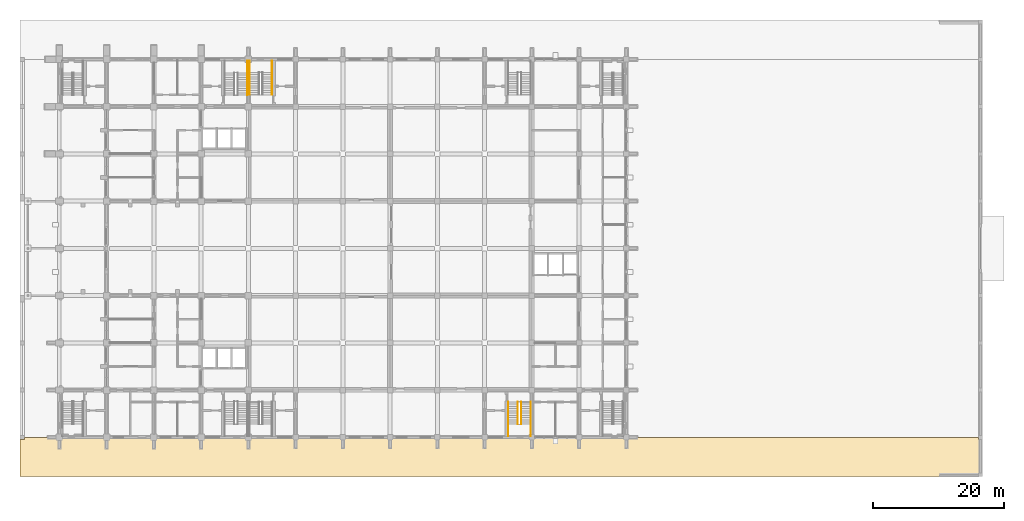
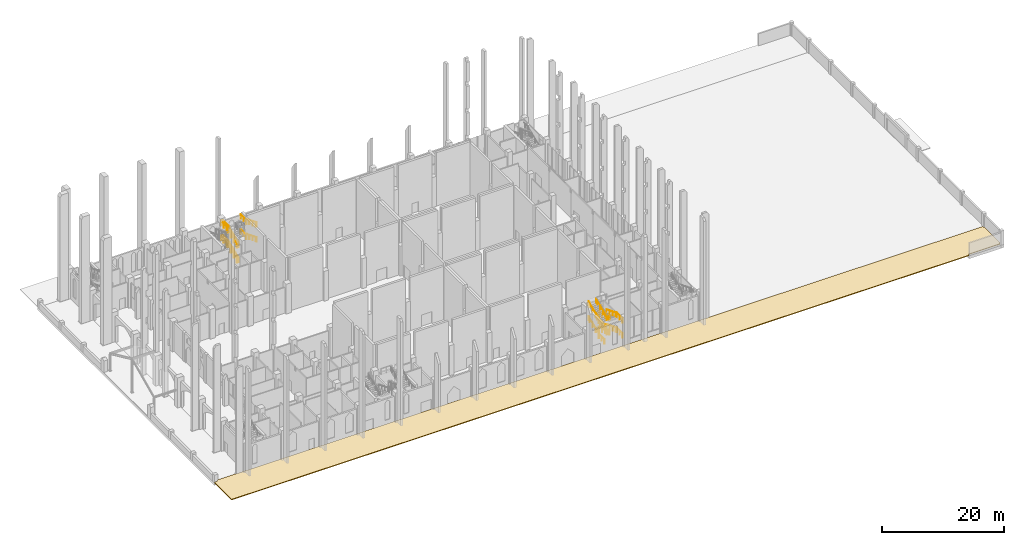
# One storey, part 47 of 50: 14 railings, 1 covering.
"""IFC4 building model written with IfcOpenShell, lengths in metres."""

from ifc_helpers import new_model, si_unit, direction, frame, origin, origin_2d, place, context, subcontext, project, spatial, polyline, circle, outline, extrude, material, layer, layer_set, type_object, element, save


model = new_model("IFC4")

# Units and contexts
model_context = context("Model", 3, precision=1e-05, world=origin(), true_north=direction((0.0, 1.0)))
body_context = subcontext(model_context, "Body", "Model", "MODEL_VIEW")
ifc_project = project(units=[si_unit("LENGTHUNIT", "METRE"), si_unit("AREAUNIT", "SQUARE_METRE"), si_unit("VOLUMEUNIT", "CUBIC_METRE"), si_unit("PLANEANGLEUNIT", "RADIAN"), si_unit("MASSUNIT", "GRAM", prefix="KILO")], contexts=[model_context])

# Site, building, storey
site_placement = place(None, origin())
site = spatial("IfcSite", under=ifc_project, at=site_placement, CompositionType="ELEMENT")
building_placement = place(site_placement, origin())
building = spatial("IfcBuilding", under=site, at=building_placement, Name="Silangan Lancet Faculty of Sciences", CompositionType="ELEMENT")
storey_placement = place(building_placement, origin())
storey = spatial("IfcBuildingStorey", under=building, at=storey_placement, Name="L00", CompositionType="ELEMENT", Elevation=0.0)

# Covering
ifc_material_1 = material(Name="Concrete C30/37", Category="concrete")
ifc_layer = layer(ifc_material_1, 0.14990234375)
ifc_layer_set = layer_set([ifc_layer], Name="Concrete C30/37")
covering_type = type_object("IfcCoveringType", Name="PAVING 150", PredefinedType="FLOORING", material=ifc_layer_set)
covering_placement = place(storey_placement, frame((0.0, 0.0, -0.14990234375)))
element("IfcCovering", 1, at=covering_placement, inside=storey, type_object=covering_type, Name="Paving Fire Lane S", PredefinedType="FLOORING", context=body_context, shape_type="SweptSolid", body=[
    extrude(outline(polyline([(140.10009765625, 0.0), (-5.300048828125, 0.0), (-5.300048828125, -0.300048828125), (-6.0, -0.300048828125), (-6.0, -6.0), (134.10009765625, -6.0), (134.10009765625, -5.699951171875), (140.10009765625, -5.699951171875), (140.10009765625, -5.39990234375), (140.25, -5.39990234375), (140.25, -0.300048828125), (140.10009765625, -0.300048828125), (140.10009765625, 0.0)])), origin(), (0.0, 0.0, 1.0), 0.14990234375),
])

# Railings
ifc_material_2 = material(Name="Stainless steel", Category="steel")
railing_type = type_object("IfcRailingType", Name="STAIR HANDRAIL 865", PredefinedType="HANDRAIL", material=ifc_material_2)
railing_1_placement = place(storey_placement, frame((28.97509765625, 52.199951171875, 0.136474609375)))
element("IfcRailing", 2, at=railing_1_placement, inside=storey, type_object=railing_type, Name="HANDRAIL-NAB-A-L00-O1", PredefinedType="HANDRAIL", context=body_context, shape_type="SweptSolid", body=[
    extrude(circle(Radius=0.02392578125, at=origin_2d()), frame((0.0, 0.0, 0.8408203125), z_axis=(0.0, 0.9281852992, 0.372118328425), x_axis=(-1.0, 0.0, 0.0)), (0.0, 0.0, 1.0), 1.098876953125),
    extrude(circle(Radius=0.02392578125, at=origin_2d()), frame((0.0, 1.02001953125, 1.25), z_axis=(0.0, 0.928108552846, 0.372309701908), x_axis=(-1.0, 0.0, 0.0)), (0.0, 0.0, 1.0), 1.09912109375),
    extrude(circle(Radius=0.02392578125, at=origin_2d()), frame((0.0, 2.0400390625, 1.6591796875), z_axis=(0.0, 0.9281852992, 0.372118328425), x_axis=(-1.0, 0.0, 0.0)), (0.0, 0.0, 1.0), 1.098876953125),
    extrude(circle(Radius=0.02392578125, at=origin_2d()), frame((0.0, 3.06005859375, 2.06787109375), z_axis=(0.0, 0.928062591398, 0.372424255988), x_axis=(-1.0, 0.0, 0.0)), (0.0, 0.0, 1.0), 0.366455078125),
    extrude(circle(Radius=0.02392578125, at=origin_2d()), frame((0.0, 3.400146484375, 2.20458984375), z_axis=(0.0, 1.0, 0.0), x_axis=(-1.0, 0.0, 0.0)), (0.0, 0.0, 1.0), 1.7998046875),
    extrude(circle(Radius=0.02099609375, at=origin_2d()), origin(), (0.0, 0.0, 1.0), 0.81689453125),
    extrude(circle(Radius=0.02099609375, at=origin_2d()), frame((0.0, 1.02001953125, 0.408935546875)), (0.0, 0.0, 1.0), 0.81689453125),
    extrude(circle(Radius=0.02099609375, at=origin_2d()), frame((0.0, 2.0400390625, 0.818115234375)), (0.0, 0.0, 1.0), 0.81689453125),
    extrude(circle(Radius=0.02099609375, at=origin_2d()), frame((0.0, 3.06005859375, 1.22705078125)), (0.0, 0.0, 1.0), 0.81689453125),
    extrude(circle(Radius=0.02099609375, at=origin_2d()), frame((0.0, 3.400146484375, 1.363525390625)), (0.0, 0.0, 1.0), 0.81689453125),
    extrude(circle(Radius=0.02099609375, at=origin_2d()), frame((0.0, 4.300048828125, 1.363525390625)), (0.0, 0.0, 1.0), 0.81689453125),
    extrude(circle(Radius=0.02099609375, at=origin_2d()), frame((0.0, 5.199951171875, 1.363525390625)), (0.0, 0.0, 1.0), 0.81689453125),
])
railing_2_placement = place(storey_placement, frame((32.39990234375, 57.39990234375, 1.5)))
element("IfcRailing", 3, at=railing_2_placement, inside=storey, type_object=railing_type, Name="HANDRAIL-NAB-A-L00-O2", PredefinedType="HANDRAIL", context=body_context, shape_type="SweptSolid", body=[
    extrude(circle(Radius=0.02392578125, at=origin_2d()), frame((0.0, 0.0, 0.8408203125), z_axis=(0.0, -1.0, 0.0), x_axis=(1.0, 0.0, 0.0)), (0.0, 0.0, 1.0), 1.7998046875),
    extrude(circle(Radius=0.02392578125, at=origin_2d()), frame((0.0, -1.7998046875, 0.8408203125), z_axis=(0.0, 0.0, 1.0), x_axis=(1.0, 0.0, 0.0)), (0.0, 0.0, 1.0), 0.136474609375),
    extrude(circle(Radius=0.02392578125, at=origin_2d()), frame((0.0, -1.7998046875, 0.9775390625), z_axis=(0.0, -0.9281852992, 0.372118328425), x_axis=(1.0, 0.0, 0.0)), (0.0, 0.0, 1.0), 1.098876953125),
    extrude(circle(Radius=0.02392578125, at=origin_2d()), frame((0.0, -2.81982421875, 1.38623046875), z_axis=(0.0, -0.928108552846, 0.372309701908), x_axis=(1.0, 0.0, 0.0)), (0.0, 0.0, 1.0), 1.09912109375),
    extrude(circle(Radius=0.02392578125, at=origin_2d()), frame((0.0, -3.83984375, 1.79541015625), z_axis=(0.0, -0.9281852992, 0.372118328425), x_axis=(1.0, 0.0, 0.0)), (0.0, 0.0, 1.0), 1.098876953125),
    extrude(circle(Radius=0.02392578125, at=origin_2d()), frame((0.0, -4.85986328125, 2.20458984375), z_axis=(0.0, -0.928062591398, 0.372424255988), x_axis=(1.0, 0.0, 0.0)), (0.0, 0.0, 1.0), 0.366455078125),
    extrude(circle(Radius=0.02099609375, at=origin_2d()), origin(), (0.0, 0.0, 1.0), 0.81689453125),
    extrude(circle(Radius=0.02099609375, at=origin_2d()), frame((0.0, -0.89990234375, 0.0)), (0.0, 0.0, 1.0), 0.81689453125),
    extrude(circle(Radius=0.02099609375, at=origin_2d()), frame((0.0, -1.7998046875, 0.0)), (0.0, 0.0, 1.0), 0.81689453125),
    extrude(circle(Radius=0.02099609375, at=origin_2d()), frame((0.0, -1.7998046875, 0.136474609375)), (0.0, 0.0, 1.0), 0.81689453125),
    extrude(circle(Radius=0.02099609375, at=origin_2d()), frame((0.0, -2.81982421875, 0.54541015625)), (0.0, 0.0, 1.0), 0.81689453125),
    extrude(circle(Radius=0.02099609375, at=origin_2d()), frame((0.0, -3.83984375, 0.95458984375)), (0.0, 0.0, 1.0), 0.81689453125),
    extrude(circle(Radius=0.02099609375, at=origin_2d()), frame((0.0, -4.85986328125, 1.363525390625)), (0.0, 0.0, 1.0), 0.81689453125),
    extrude(circle(Radius=0.02099609375, at=origin_2d()), frame((0.0, -5.199951171875, 1.5)), (0.0, 0.0, 1.0), 0.81689453125),
])
railing_3_placement = place(storey_placement, frame((28.97509765625, 52.199951171875, 3.136474609375)))
element("IfcRailing", 4, at=railing_3_placement, inside=storey, type_object=railing_type, Name="HANDRAIL-NAB-A-L00-O3", PredefinedType="HANDRAIL", context=body_context, shape_type="SweptSolid", body=[
    extrude(circle(Radius=0.02392578125, at=origin_2d()), frame((0.0, 0.0, 0.8408203125), z_axis=(0.0, 0.9281852992, 0.372118328425), x_axis=(-1.0, 0.0, 0.0)), (0.0, 0.0, 1.0), 1.098876953125),
    extrude(circle(Radius=0.02392578125, at=origin_2d()), frame((0.0, 1.02001953125, 1.25), z_axis=(0.0, 0.928108552846, 0.372309701908), x_axis=(-1.0, 0.0, 0.0)), (0.0, 0.0, 1.0), 1.09912109375),
    extrude(circle(Radius=0.02392578125, at=origin_2d()), frame((0.0, 2.0400390625, 1.6591796875), z_axis=(0.0, 0.9281852992, 0.372118328425), x_axis=(-1.0, 0.0, 0.0)), (0.0, 0.0, 1.0), 1.098876953125),
    extrude(circle(Radius=0.02392578125, at=origin_2d()), frame((0.0, 3.06005859375, 2.06787109375), z_axis=(0.0, 0.928062591398, 0.372424255988), x_axis=(-1.0, 0.0, 0.0)), (0.0, 0.0, 1.0), 0.366455078125),
    extrude(circle(Radius=0.02392578125, at=origin_2d()), frame((0.0, 3.400146484375, 2.20458984375), z_axis=(0.0, 1.0, 0.0), x_axis=(-1.0, 0.0, 0.0)), (0.0, 0.0, 1.0), 1.7998046875),
    extrude(circle(Radius=0.02099609375, at=origin_2d()), origin(), (0.0, 0.0, 1.0), 0.81689453125),
    extrude(circle(Radius=0.02099609375, at=origin_2d()), frame((0.0, 1.02001953125, 0.408935546875)), (0.0, 0.0, 1.0), 0.81689453125),
    extrude(circle(Radius=0.02099609375, at=origin_2d()), frame((0.0, 2.0400390625, 0.818115234375)), (0.0, 0.0, 1.0), 0.81689453125),
    extrude(circle(Radius=0.02099609375, at=origin_2d()), frame((0.0, 3.06005859375, 1.22705078125)), (0.0, 0.0, 1.0), 0.81689453125),
    extrude(circle(Radius=0.02099609375, at=origin_2d()), frame((0.0, 3.400146484375, 1.363525390625)), (0.0, 0.0, 1.0), 0.81689453125),
    extrude(circle(Radius=0.02099609375, at=origin_2d()), frame((0.0, 4.300048828125, 1.363525390625)), (0.0, 0.0, 1.0), 0.81689453125),
    extrude(circle(Radius=0.02099609375, at=origin_2d()), frame((0.0, 5.199951171875, 1.363525390625)), (0.0, 0.0, 1.0), 0.81689453125),
])
railing_4_placement = place(storey_placement, frame((32.39990234375, 57.39990234375, 4.5)))
element("IfcRailing", 5, at=railing_4_placement, inside=storey, type_object=railing_type, Name="HANDRAIL-NAB-A-L00-O4", PredefinedType="HANDRAIL", context=body_context, shape_type="SweptSolid", body=[
    extrude(circle(Radius=0.02392578125, at=origin_2d()), frame((0.0, 0.0, 0.8408203125), z_axis=(0.0, -1.0, 0.0), x_axis=(1.0, 0.0, 0.0)), (0.0, 0.0, 1.0), 1.7998046875),
    extrude(circle(Radius=0.02392578125, at=origin_2d()), frame((0.0, -1.7998046875, 0.8408203125), z_axis=(0.0, 0.0, 1.0), x_axis=(1.0, 0.0, 0.0)), (0.0, 0.0, 1.0), 0.136474609375),
    extrude(circle(Radius=0.02392578125, at=origin_2d()), frame((0.0, -1.7998046875, 0.9775390625), z_axis=(0.0, -0.9281852992, 0.372118328425), x_axis=(1.0, 0.0, 0.0)), (0.0, 0.0, 1.0), 1.098876953125),
    extrude(circle(Radius=0.02392578125, at=origin_2d()), frame((0.0, -2.81982421875, 1.38623046875), z_axis=(0.0, -0.928108552846, 0.372309701908), x_axis=(1.0, 0.0, 0.0)), (0.0, 0.0, 1.0), 1.09912109375),
    extrude(circle(Radius=0.02392578125, at=origin_2d()), frame((0.0, -3.83984375, 1.79541015625), z_axis=(0.0, -0.9281852992, 0.372118328425), x_axis=(1.0, 0.0, 0.0)), (0.0, 0.0, 1.0), 1.098876953125),
    extrude(circle(Radius=0.02392578125, at=origin_2d()), frame((0.0, -4.85986328125, 2.20458984375), z_axis=(0.0, -0.928062591398, 0.372424255988), x_axis=(1.0, 0.0, 0.0)), (0.0, 0.0, 1.0), 0.366455078125),
    extrude(circle(Radius=0.02099609375, at=origin_2d()), origin(), (0.0, 0.0, 1.0), 0.81689453125),
    extrude(circle(Radius=0.02099609375, at=origin_2d()), frame((0.0, -0.89990234375, 0.0)), (0.0, 0.0, 1.0), 0.81689453125),
    extrude(circle(Radius=0.02099609375, at=origin_2d()), frame((0.0, -1.7998046875, 0.0)), (0.0, 0.0, 1.0), 0.81689453125),
    extrude(circle(Radius=0.02099609375, at=origin_2d()), frame((0.0, -1.7998046875, 0.136474609375)), (0.0, 0.0, 1.0), 0.81689453125),
    extrude(circle(Radius=0.02099609375, at=origin_2d()), frame((0.0, -2.81982421875, 0.54541015625)), (0.0, 0.0, 1.0), 0.81689453125),
    extrude(circle(Radius=0.02099609375, at=origin_2d()), frame((0.0, -3.83984375, 0.95458984375)), (0.0, 0.0, 1.0), 0.81689453125),
    extrude(circle(Radius=0.02099609375, at=origin_2d()), frame((0.0, -4.85986328125, 1.363525390625)), (0.0, 0.0, 1.0), 0.81689453125),
    extrude(circle(Radius=0.02099609375, at=origin_2d()), frame((0.0, -5.199951171875, 1.5)), (0.0, 0.0, 1.0), 0.81689453125),
])
railing_5_placement = place(storey_placement, frame((28.625, 52.14990234375, 0.136474609375)))
element("IfcRailing", 6, at=railing_5_placement, inside=storey, type_object=railing_type, Name="HANDRAIL-NT-B-L00-O1", PredefinedType="HANDRAIL", context=body_context, shape_type="SweptSolid", body=[
    extrude(circle(Radius=0.02392578125, at=origin_2d()), frame((0.0, 0.0, 0.8408203125), z_axis=(0.0, 0.9281852992, 0.372118328425), x_axis=(-1.0, 0.0, 0.0)), (0.0, 0.0, 1.0), 1.098876953125),
    extrude(circle(Radius=0.02392578125, at=origin_2d()), frame((0.0, 1.02001953125, 1.25), z_axis=(0.0, 0.928108552846, 0.372309701908), x_axis=(-1.0, 0.0, 0.0)), (0.0, 0.0, 1.0), 1.09912109375),
    extrude(circle(Radius=0.02392578125, at=origin_2d()), frame((0.0, 2.0400390625, 1.6591796875), z_axis=(0.0, 0.9281852992, 0.372118328425), x_axis=(-1.0, 0.0, 0.0)), (0.0, 0.0, 1.0), 1.098876953125),
    extrude(circle(Radius=0.02392578125, at=origin_2d()), frame((0.0, 3.06005859375, 2.06787109375), z_axis=(0.0, 0.928062591398, 0.372424255988), x_axis=(-1.0, 0.0, 0.0)), (0.0, 0.0, 1.0), 0.366455078125),
    extrude(circle(Radius=0.02392578125, at=origin_2d()), frame((0.0, 3.400146484375, 2.20458984375), z_axis=(0.0, 1.0, 0.0), x_axis=(-1.0, 0.0, 0.0)), (0.0, 0.0, 1.0), 1.849853515625),
    extrude(circle(Radius=0.02099609375, at=origin_2d()), origin(), (0.0, 0.0, 1.0), 0.81689453125),
    extrude(circle(Radius=0.02099609375, at=origin_2d()), frame((0.0, 1.02001953125, 0.408935546875)), (0.0, 0.0, 1.0), 0.81689453125),
    extrude(circle(Radius=0.02099609375, at=origin_2d()), frame((0.0, 2.0400390625, 0.818115234375)), (0.0, 0.0, 1.0), 0.81689453125),
    extrude(circle(Radius=0.02099609375, at=origin_2d()), frame((0.0, 3.06005859375, 1.22705078125)), (0.0, 0.0, 1.0), 0.81689453125),
    extrude(circle(Radius=0.02099609375, at=origin_2d()), frame((0.0, 3.400146484375, 1.363525390625)), (0.0, 0.0, 1.0), 0.81689453125),
    extrude(circle(Radius=0.02099609375, at=origin_2d()), frame((0.0, 4.3251953125, 1.363525390625)), (0.0, 0.0, 1.0), 0.81689453125),
    extrude(circle(Radius=0.02099609375, at=origin_2d()), frame((0.0, 5.25, 1.363525390625)), (0.0, 0.0, 1.0), 0.81689453125),
])
railing_6_placement = place(storey_placement, frame((28.625, 52.14990234375, 3.136474609375)))
element("IfcRailing", 7, at=railing_6_placement, inside=storey, type_object=railing_type, Name="HANDRAIL-NT-B-L00-O3", PredefinedType="HANDRAIL", context=body_context, shape_type="SweptSolid", body=[
    extrude(circle(Radius=0.02392578125, at=origin_2d()), frame((0.0, 0.0, 0.8408203125), z_axis=(0.0, 0.9281852992, 0.372118328425), x_axis=(-1.0, 0.0, 0.0)), (0.0, 0.0, 1.0), 1.098876953125),
    extrude(circle(Radius=0.02392578125, at=origin_2d()), frame((0.0, 1.02001953125, 1.25), z_axis=(0.0, 0.928108552846, 0.372309701908), x_axis=(-1.0, 0.0, 0.0)), (0.0, 0.0, 1.0), 1.09912109375),
    extrude(circle(Radius=0.02392578125, at=origin_2d()), frame((0.0, 2.0400390625, 1.6591796875), z_axis=(0.0, 0.9281852992, 0.372118328425), x_axis=(-1.0, 0.0, 0.0)), (0.0, 0.0, 1.0), 1.098876953125),
    extrude(circle(Radius=0.02392578125, at=origin_2d()), frame((0.0, 3.06005859375, 2.06787109375), z_axis=(0.0, 0.928062591398, 0.372424255988), x_axis=(-1.0, 0.0, 0.0)), (0.0, 0.0, 1.0), 0.366455078125),
    extrude(circle(Radius=0.02392578125, at=origin_2d()), frame((0.0, 3.400146484375, 2.20458984375), z_axis=(0.0, 1.0, 0.0), x_axis=(-1.0, 0.0, 0.0)), (0.0, 0.0, 1.0), 1.849853515625),
    extrude(circle(Radius=0.02099609375, at=origin_2d()), origin(), (0.0, 0.0, 1.0), 0.81689453125),
    extrude(circle(Radius=0.02099609375, at=origin_2d()), frame((0.0, 1.02001953125, 0.408935546875)), (0.0, 0.0, 1.0), 0.81689453125),
    extrude(circle(Radius=0.02099609375, at=origin_2d()), frame((0.0, 2.0400390625, 0.818115234375)), (0.0, 0.0, 1.0), 0.81689453125),
    extrude(circle(Radius=0.02099609375, at=origin_2d()), frame((0.0, 3.06005859375, 1.22705078125)), (0.0, 0.0, 1.0), 0.81689453125),
    extrude(circle(Radius=0.02099609375, at=origin_2d()), frame((0.0, 3.400146484375, 1.363525390625)), (0.0, 0.0, 1.0), 0.81689453125),
    extrude(circle(Radius=0.02099609375, at=origin_2d()), frame((0.0, 4.3251953125, 1.363525390625)), (0.0, 0.0, 1.0), 0.81689453125),
    extrude(circle(Radius=0.02099609375, at=origin_2d()), frame((0.0, 5.25, 1.363525390625)), (0.0, 0.0, 1.0), 0.81689453125),
])
railing_7_placement = place(storey_placement, frame((71.824951171875, 5.39990234375, 0.136474609375)))
element("IfcRailing", 8, at=railing_7_placement, inside=storey, type_object=railing_type, Name="HANDRAIL-SAB-B-L00-O1", PredefinedType="HANDRAIL", context=body_context, shape_type="SweptSolid", body=[
    extrude(circle(Radius=0.02392578125, at=origin_2d()), frame((0.0, 0.0, 0.8408203125), z_axis=(0.0, -0.9281852992, 0.372118328425), x_axis=(1.0, 0.0, 0.0)), (0.0, 0.0, 1.0), 1.098876953125),
    extrude(circle(Radius=0.02392578125, at=origin_2d()), frame((0.0, -1.02001953125, 1.25), z_axis=(0.0, -0.928077751239, 0.372386476197), x_axis=(1.0, 0.0, 0.0)), (0.0, 0.0, 1.0), 1.098876953125),
    extrude(circle(Radius=0.02392578125, at=origin_2d()), frame((0.0, -2.039794921875, 1.6591796875), z_axis=(0.0, -0.9281852992, 0.372118328425), x_axis=(1.0, 0.0, 0.0)), (0.0, 0.0, 1.0), 1.098876953125),
    extrude(circle(Radius=0.02392578125, at=origin_2d()), frame((0.0, -3.059814453125, 2.06787109375), z_axis=(0.0, -0.928062591398, 0.372424255988), x_axis=(1.0, 0.0, 0.0)), (0.0, 0.0, 1.0), 0.366455078125),
    extrude(circle(Radius=0.02392578125, at=origin_2d()), frame((0.0, -3.39990234375, 2.20458984375), z_axis=(0.0, -1.0, 0.0), x_axis=(1.0, 0.0, 0.0)), (0.0, 0.0, 1.0), 1.800048828125),
    extrude(circle(Radius=0.02099609375, at=origin_2d()), origin(), (0.0, 0.0, 1.0), 0.81689453125),
    extrude(circle(Radius=0.02099609375, at=origin_2d()), frame((0.0, -1.02001953125, 0.408935546875)), (0.0, 0.0, 1.0), 0.81689453125),
    extrude(circle(Radius=0.02099609375, at=origin_2d()), frame((0.0, -2.039794921875, 0.818115234375)), (0.0, 0.0, 1.0), 0.81689453125),
    extrude(circle(Radius=0.02099609375, at=origin_2d()), frame((0.0, -3.059814453125, 1.22705078125)), (0.0, 0.0, 1.0), 0.81689453125),
    extrude(circle(Radius=0.02099609375, at=origin_2d()), frame((0.0, -3.39990234375, 1.363525390625)), (0.0, 0.0, 1.0), 0.81689453125),
    extrude(circle(Radius=0.02099609375, at=origin_2d()), frame((0.0, -4.2998046875, 1.363525390625)), (0.0, 0.0, 1.0), 0.81689453125),
    extrude(circle(Radius=0.02099609375, at=origin_2d()), frame((0.0, -5.199951171875, 1.363525390625)), (0.0, 0.0, 1.0), 0.81689453125),
])
railing_8_placement = place(storey_placement, frame((70.375, 5.39990234375, 0.136474609375)))
element("IfcRailing", 9, at=railing_8_placement, inside=storey, type_object=railing_type, Name="HANDRAIL-SAB-B-L00-I1", PredefinedType="HANDRAIL", context=body_context, shape_type="SweptSolid", body=[
    extrude(circle(Radius=0.02392578125, at=origin_2d()), frame((0.0, 0.0, 0.8408203125), z_axis=(0.0, -0.9281852992, 0.372118328425), x_axis=(1.0, 0.0, 0.0)), (0.0, 0.0, 1.0), 1.098876953125),
    extrude(circle(Radius=0.02392578125, at=origin_2d()), frame((0.0, -1.02001953125, 1.25), z_axis=(0.0, -0.928077751239, 0.372386476197), x_axis=(1.0, 0.0, 0.0)), (0.0, 0.0, 1.0), 1.098876953125),
    extrude(circle(Radius=0.02392578125, at=origin_2d()), frame((0.0, -2.039794921875, 1.6591796875), z_axis=(0.0, -0.9281852992, 0.372118328425), x_axis=(1.0, 0.0, 0.0)), (0.0, 0.0, 1.0), 1.098876953125),
    extrude(circle(Radius=0.02392578125, at=origin_2d()), frame((0.0, -3.059814453125, 2.06787109375), z_axis=(0.0, -0.928062591398, 0.372424255988), x_axis=(1.0, 0.0, 0.0)), (0.0, 0.0, 1.0), 0.366455078125),
    extrude(circle(Radius=0.02099609375, at=origin_2d()), origin(), (0.0, 0.0, 1.0), 0.81689453125),
    extrude(circle(Radius=0.02099609375, at=origin_2d()), frame((0.0, -1.02001953125, 0.408935546875)), (0.0, 0.0, 1.0), 0.81689453125),
    extrude(circle(Radius=0.02099609375, at=origin_2d()), frame((0.0, -2.039794921875, 0.818115234375)), (0.0, 0.0, 1.0), 0.81689453125),
    extrude(circle(Radius=0.02099609375, at=origin_2d()), frame((0.0, -3.059814453125, 1.22705078125)), (0.0, 0.0, 1.0), 0.81689453125),
    extrude(circle(Radius=0.02099609375, at=origin_2d()), frame((0.0, -3.39990234375, 1.363525390625)), (0.0, 0.0, 1.0), 0.81689453125),
])
railing_9_placement = place(storey_placement, frame((68.39990234375, 0.199951171875, 1.5)))
element("IfcRailing", 10, at=railing_9_placement, inside=storey, type_object=railing_type, Name="HANDRAIL-SAB-B-L00-O2", PredefinedType="HANDRAIL", context=body_context, shape_type="SweptSolid", body=[
    extrude(circle(Radius=0.02392578125, at=origin_2d()), frame((0.0, 0.0, 0.8408203125), z_axis=(0.0, 1.0, 0.0), x_axis=(-1.0, 0.0, 0.0)), (0.0, 0.0, 1.0), 1.800048828125),
    extrude(circle(Radius=0.02392578125, at=origin_2d()), frame((0.0, 1.800048828125, 0.8408203125), z_axis=(0.0, 0.0, 1.0), x_axis=(1.0, 0.0, 0.0)), (0.0, 0.0, 1.0), 0.136474609375),
    extrude(circle(Radius=0.02392578125, at=origin_2d()), frame((0.0, 1.800048828125, 0.9775390625), z_axis=(0.0, 0.9281852992, 0.372118328425), x_axis=(-1.0, 0.0, 0.0)), (0.0, 0.0, 1.0), 1.098876953125),
    extrude(circle(Radius=0.02392578125, at=origin_2d()), frame((0.0, 2.820068359375, 1.38623046875), z_axis=(0.0, 0.928108552846, 0.372309701908), x_axis=(-1.0, 0.0, 0.0)), (0.0, 0.0, 1.0), 1.09912109375),
    extrude(circle(Radius=0.02392578125, at=origin_2d()), frame((0.0, 3.840087890625, 1.79541015625), z_axis=(0.0, 0.9281852992, 0.372118328425), x_axis=(-1.0, 0.0, 0.0)), (0.0, 0.0, 1.0), 1.098876953125),
    extrude(circle(Radius=0.02392578125, at=origin_2d()), frame((0.0, 4.860107421875, 2.20458984375), z_axis=(0.0, 0.927970099223, 0.372654659099), x_axis=(-1.0, 0.0, 0.0)), (0.0, 0.0, 1.0), 0.3662109375),
    extrude(circle(Radius=0.02099609375, at=origin_2d()), origin(), (0.0, 0.0, 1.0), 0.81689453125),
    extrude(circle(Radius=0.02099609375, at=origin_2d()), frame((0.0, 0.89990234375, 0.0)), (0.0, 0.0, 1.0), 0.81689453125),
    extrude(circle(Radius=0.02099609375, at=origin_2d()), frame((0.0, 1.800048828125, 0.0)), (0.0, 0.0, 1.0), 0.81689453125),
    extrude(circle(Radius=0.02099609375, at=origin_2d()), frame((0.0, 1.800048828125, 0.136474609375)), (0.0, 0.0, 1.0), 0.81689453125),
    extrude(circle(Radius=0.02099609375, at=origin_2d()), frame((0.0, 2.820068359375, 0.54541015625)), (0.0, 0.0, 1.0), 0.81689453125),
    extrude(circle(Radius=0.02099609375, at=origin_2d()), frame((0.0, 3.840087890625, 0.95458984375)), (0.0, 0.0, 1.0), 0.81689453125),
    extrude(circle(Radius=0.02099609375, at=origin_2d()), frame((0.0, 4.860107421875, 1.363525390625)), (0.0, 0.0, 1.0), 0.81689453125),
    extrude(circle(Radius=0.02099609375, at=origin_2d()), frame((0.0, 5.199951171875, 1.5)), (0.0, 0.0, 1.0), 0.81689453125),
])
railing_10_placement = place(storey_placement, frame((69.85009765625, 2.0, 1.636474609375)))
element("IfcRailing", 11, at=railing_10_placement, inside=storey, type_object=railing_type, Name="HANDRAIL-SAB-B-L00-I2", PredefinedType="HANDRAIL", context=body_context, shape_type="SweptSolid", body=[
    extrude(circle(Radius=0.02392578125, at=origin_2d()), frame((0.0, 0.0, 0.8408203125), z_axis=(0.0, 0.9281852992, 0.372118328425), x_axis=(-1.0, 0.0, 0.0)), (0.0, 0.0, 1.0), 1.098876953125),
    extrude(circle(Radius=0.02392578125, at=origin_2d()), frame((0.0, 1.02001953125, 1.25), z_axis=(0.0, 0.928108552846, 0.372309701908), x_axis=(-1.0, 0.0, 0.0)), (0.0, 0.0, 1.0), 1.09912109375),
    extrude(circle(Radius=0.02392578125, at=origin_2d()), frame((0.0, 2.0400390625, 1.6591796875), z_axis=(0.0, 0.9281852992, 0.372118328425), x_axis=(-1.0, 0.0, 0.0)), (0.0, 0.0, 1.0), 1.098876953125),
    extrude(circle(Radius=0.02392578125, at=origin_2d()), frame((0.0, 3.06005859375, 2.06787109375), z_axis=(0.0, 0.927970099223, 0.372654659099), x_axis=(-1.0, 0.0, 0.0)), (0.0, 0.0, 1.0), 0.3662109375),
    extrude(circle(Radius=0.02099609375, at=origin_2d()), origin(), (0.0, 0.0, 1.0), 0.81689453125),
    extrude(circle(Radius=0.02099609375, at=origin_2d()), frame((0.0, 1.02001953125, 0.408935546875)), (0.0, 0.0, 1.0), 0.81689453125),
    extrude(circle(Radius=0.02099609375, at=origin_2d()), frame((0.0, 2.0400390625, 0.818115234375)), (0.0, 0.0, 1.0), 0.81689453125),
    extrude(circle(Radius=0.02099609375, at=origin_2d()), frame((0.0, 3.06005859375, 1.22705078125)), (0.0, 0.0, 1.0), 0.81689453125),
    extrude(circle(Radius=0.02099609375, at=origin_2d()), frame((0.0, 3.39990234375, 1.363525390625)), (0.0, 0.0, 1.0), 0.81689453125),
])
railing_11_placement = place(storey_placement, frame((71.824951171875, 5.39990234375, 3.136474609375)))
element("IfcRailing", 12, at=railing_11_placement, inside=storey, type_object=railing_type, Name="HANDRAIL-SAB-B-L00-O3", PredefinedType="HANDRAIL", context=body_context, shape_type="SweptSolid", body=[
    extrude(circle(Radius=0.02392578125, at=origin_2d()), frame((0.0, 0.0, 0.8408203125), z_axis=(0.0, -0.9281852992, 0.372118328425), x_axis=(1.0, 0.0, 0.0)), (0.0, 0.0, 1.0), 1.098876953125),
    extrude(circle(Radius=0.02392578125, at=origin_2d()), frame((0.0, -1.02001953125, 1.25), z_axis=(0.0, -0.928077751239, 0.372386476197), x_axis=(1.0, 0.0, 0.0)), (0.0, 0.0, 1.0), 1.098876953125),
    extrude(circle(Radius=0.02392578125, at=origin_2d()), frame((0.0, -2.039794921875, 1.6591796875), z_axis=(0.0, -0.9281852992, 0.372118328425), x_axis=(1.0, 0.0, 0.0)), (0.0, 0.0, 1.0), 1.098876953125),
    extrude(circle(Radius=0.02392578125, at=origin_2d()), frame((0.0, -3.059814453125, 2.06787109375), z_axis=(0.0, -0.928062591398, 0.372424255988), x_axis=(1.0, 0.0, 0.0)), (0.0, 0.0, 1.0), 0.366455078125),
    extrude(circle(Radius=0.02392578125, at=origin_2d()), frame((0.0, -3.39990234375, 2.20458984375), z_axis=(0.0, -1.0, 0.0), x_axis=(1.0, 0.0, 0.0)), (0.0, 0.0, 1.0), 1.800048828125),
    extrude(circle(Radius=0.02099609375, at=origin_2d()), origin(), (0.0, 0.0, 1.0), 0.81689453125),
    extrude(circle(Radius=0.02099609375, at=origin_2d()), frame((0.0, -1.02001953125, 0.408935546875)), (0.0, 0.0, 1.0), 0.81689453125),
    extrude(circle(Radius=0.02099609375, at=origin_2d()), frame((0.0, -2.039794921875, 0.818115234375)), (0.0, 0.0, 1.0), 0.81689453125),
    extrude(circle(Radius=0.02099609375, at=origin_2d()), frame((0.0, -3.059814453125, 1.22705078125)), (0.0, 0.0, 1.0), 0.81689453125),
    extrude(circle(Radius=0.02099609375, at=origin_2d()), frame((0.0, -3.39990234375, 1.363525390625)), (0.0, 0.0, 1.0), 0.81689453125),
    extrude(circle(Radius=0.02099609375, at=origin_2d()), frame((0.0, -4.2998046875, 1.363525390625)), (0.0, 0.0, 1.0), 0.81689453125),
    extrude(circle(Radius=0.02099609375, at=origin_2d()), frame((0.0, -5.199951171875, 1.363525390625)), (0.0, 0.0, 1.0), 0.81689453125),
])
railing_12_placement = place(storey_placement, frame((70.375, 5.39990234375, 3.136474609375)))
element("IfcRailing", 13, at=railing_12_placement, inside=storey, type_object=railing_type, Name="HANDRAIL-SAB-B-L00-I3", PredefinedType="HANDRAIL", context=body_context, shape_type="SweptSolid", body=[
    extrude(circle(Radius=0.02392578125, at=origin_2d()), frame((0.0, 0.0, 0.8408203125), z_axis=(0.0, -0.9281852992, 0.372118328425), x_axis=(1.0, 0.0, 0.0)), (0.0, 0.0, 1.0), 1.098876953125),
    extrude(circle(Radius=0.02392578125, at=origin_2d()), frame((0.0, -1.02001953125, 1.25), z_axis=(0.0, -0.928077751239, 0.372386476197), x_axis=(1.0, 0.0, 0.0)), (0.0, 0.0, 1.0), 1.098876953125),
    extrude(circle(Radius=0.02392578125, at=origin_2d()), frame((0.0, -2.039794921875, 1.6591796875), z_axis=(0.0, -0.9281852992, 0.372118328425), x_axis=(1.0, 0.0, 0.0)), (0.0, 0.0, 1.0), 1.098876953125),
    extrude(circle(Radius=0.02392578125, at=origin_2d()), frame((0.0, -3.059814453125, 2.06787109375), z_axis=(0.0, -0.928062591398, 0.372424255988), x_axis=(1.0, 0.0, 0.0)), (0.0, 0.0, 1.0), 0.366455078125),
    extrude(circle(Radius=0.02099609375, at=origin_2d()), origin(), (0.0, 0.0, 1.0), 0.81689453125),
    extrude(circle(Radius=0.02099609375, at=origin_2d()), frame((0.0, -1.02001953125, 0.408935546875)), (0.0, 0.0, 1.0), 0.81689453125),
    extrude(circle(Radius=0.02099609375, at=origin_2d()), frame((0.0, -2.039794921875, 0.818115234375)), (0.0, 0.0, 1.0), 0.81689453125),
    extrude(circle(Radius=0.02099609375, at=origin_2d()), frame((0.0, -3.059814453125, 1.22705078125)), (0.0, 0.0, 1.0), 0.81689453125),
    extrude(circle(Radius=0.02099609375, at=origin_2d()), frame((0.0, -3.39990234375, 1.363525390625)), (0.0, 0.0, 1.0), 0.81689453125),
])
railing_13_placement = place(storey_placement, frame((68.39990234375, 0.199951171875, 4.5)))
element("IfcRailing", 14, at=railing_13_placement, inside=storey, type_object=railing_type, Name="HANDRAIL-SAB-B-L00-O4", PredefinedType="HANDRAIL", context=body_context, shape_type="SweptSolid", body=[
    extrude(circle(Radius=0.02392578125, at=origin_2d()), frame((0.0, 0.0, 0.8408203125), z_axis=(0.0, 1.0, 0.0), x_axis=(-1.0, 0.0, 0.0)), (0.0, 0.0, 1.0), 1.800048828125),
    extrude(circle(Radius=0.02392578125, at=origin_2d()), frame((0.0, 1.800048828125, 0.8408203125), z_axis=(0.0, 0.0, 1.0), x_axis=(1.0, 0.0, 0.0)), (0.0, 0.0, 1.0), 0.136474609375),
    extrude(circle(Radius=0.02392578125, at=origin_2d()), frame((0.0, 1.800048828125, 0.9775390625), z_axis=(0.0, 0.9281852992, 0.372118328425), x_axis=(-1.0, 0.0, 0.0)), (0.0, 0.0, 1.0), 1.098876953125),
    extrude(circle(Radius=0.02392578125, at=origin_2d()), frame((0.0, 2.820068359375, 1.38623046875), z_axis=(0.0, 0.928108552846, 0.372309701908), x_axis=(-1.0, 0.0, 0.0)), (0.0, 0.0, 1.0), 1.09912109375),
    extrude(circle(Radius=0.02392578125, at=origin_2d()), frame((0.0, 3.840087890625, 1.79541015625), z_axis=(0.0, 0.9281852992, 0.372118328425), x_axis=(-1.0, 0.0, 0.0)), (0.0, 0.0, 1.0), 1.098876953125),
    extrude(circle(Radius=0.02392578125, at=origin_2d()), frame((0.0, 4.860107421875, 2.20458984375), z_axis=(0.0, 0.927970099223, 0.372654659099), x_axis=(-1.0, 0.0, 0.0)), (0.0, 0.0, 1.0), 0.3662109375),
    extrude(circle(Radius=0.02099609375, at=origin_2d()), origin(), (0.0, 0.0, 1.0), 0.81689453125),
    extrude(circle(Radius=0.02099609375, at=origin_2d()), frame((0.0, 0.89990234375, 0.0)), (0.0, 0.0, 1.0), 0.81689453125),
    extrude(circle(Radius=0.02099609375, at=origin_2d()), frame((0.0, 1.800048828125, 0.0)), (0.0, 0.0, 1.0), 0.81689453125),
    extrude(circle(Radius=0.02099609375, at=origin_2d()), frame((0.0, 1.800048828125, 0.136474609375)), (0.0, 0.0, 1.0), 0.81689453125),
    extrude(circle(Radius=0.02099609375, at=origin_2d()), frame((0.0, 2.820068359375, 0.54541015625)), (0.0, 0.0, 1.0), 0.81689453125),
    extrude(circle(Radius=0.02099609375, at=origin_2d()), frame((0.0, 3.840087890625, 0.95458984375)), (0.0, 0.0, 1.0), 0.81689453125),
    extrude(circle(Radius=0.02099609375, at=origin_2d()), frame((0.0, 4.860107421875, 1.363525390625)), (0.0, 0.0, 1.0), 0.81689453125),
    extrude(circle(Radius=0.02099609375, at=origin_2d()), frame((0.0, 5.199951171875, 1.5)), (0.0, 0.0, 1.0), 0.81689453125),
])
railing_14_placement = place(storey_placement, frame((69.85009765625, 2.0, 4.636474609375)))
element("IfcRailing", 15, at=railing_14_placement, inside=storey, type_object=railing_type, Name="HANDRAIL-SAB-B-L00-I4", PredefinedType="HANDRAIL", context=body_context, shape_type="SweptSolid", body=[
    extrude(circle(Radius=0.02392578125, at=origin_2d()), frame((0.0, 0.0, 0.8408203125), z_axis=(0.0, 0.9281852992, 0.372118328425), x_axis=(-1.0, 0.0, 0.0)), (0.0, 0.0, 1.0), 1.098876953125),
    extrude(circle(Radius=0.02392578125, at=origin_2d()), frame((0.0, 1.02001953125, 1.25), z_axis=(0.0, 0.928108552846, 0.372309701908), x_axis=(-1.0, 0.0, 0.0)), (0.0, 0.0, 1.0), 1.09912109375),
    extrude(circle(Radius=0.02392578125, at=origin_2d()), frame((0.0, 2.0400390625, 1.6591796875), z_axis=(0.0, 0.9281852992, 0.372118328425), x_axis=(-1.0, 0.0, 0.0)), (0.0, 0.0, 1.0), 1.098876953125),
    extrude(circle(Radius=0.02392578125, at=origin_2d()), frame((0.0, 3.06005859375, 2.06787109375), z_axis=(0.0, 0.927970099223, 0.372654659099), x_axis=(-1.0, 0.0, 0.0)), (0.0, 0.0, 1.0), 0.3662109375),
    extrude(circle(Radius=0.02099609375, at=origin_2d()), origin(), (0.0, 0.0, 1.0), 0.81689453125),
    extrude(circle(Radius=0.02099609375, at=origin_2d()), frame((0.0, 1.02001953125, 0.408935546875)), (0.0, 0.0, 1.0), 0.81689453125),
    extrude(circle(Radius=0.02099609375, at=origin_2d()), frame((0.0, 2.0400390625, 0.818115234375)), (0.0, 0.0, 1.0), 0.81689453125),
    extrude(circle(Radius=0.02099609375, at=origin_2d()), frame((0.0, 3.06005859375, 1.22705078125)), (0.0, 0.0, 1.0), 0.81689453125),
    extrude(circle(Radius=0.02099609375, at=origin_2d()), frame((0.0, 3.39990234375, 1.363525390625)), (0.0, 0.0, 1.0), 0.81689453125),
])

save(model, "model.ifc")
